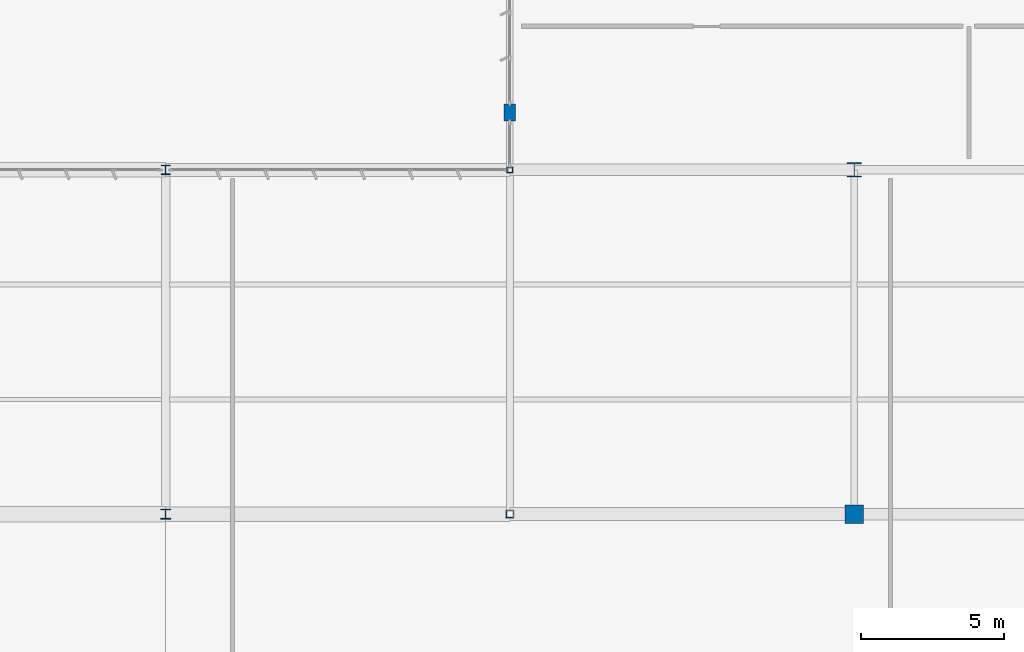
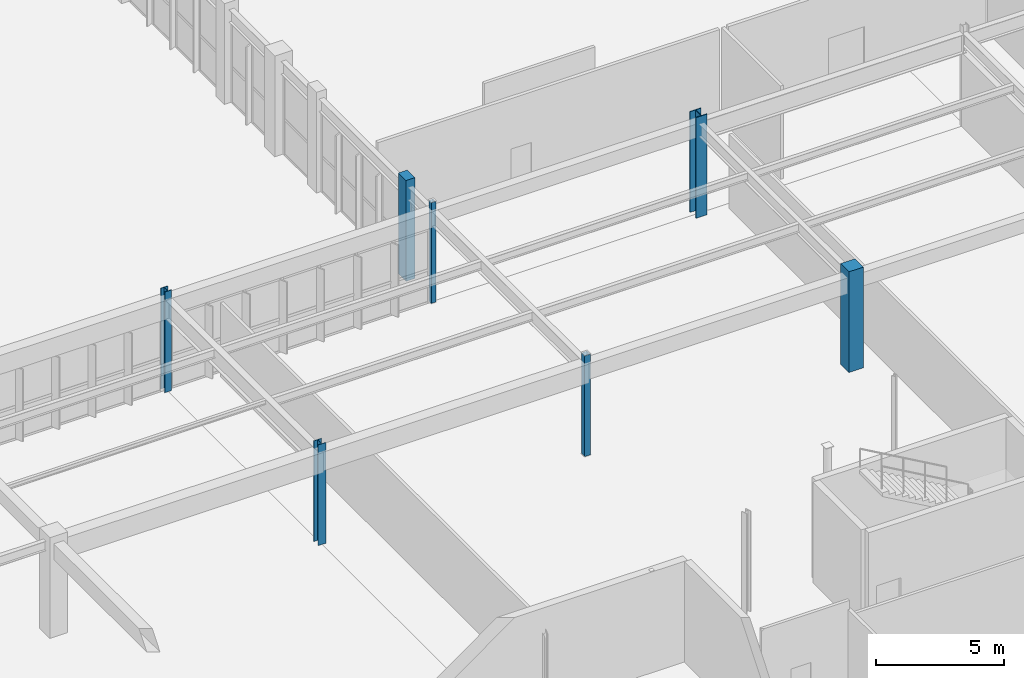
# One storey, part 18 of 199: 7 columns.
"""IFC4 building model written with IfcOpenShell, lengths in metres."""

import ifcopenshell
import ifcopenshell.guid

model = None  # the IFC model being written
_history = None  # IfcOwnerHistory: only IFC2X3 demands one
_inside = {}  # id of a spatial element -> (the spatial element, [elements in it])
_under = {}  # id of a project, library or spatial element -> (it, [spatial elements below it])
_declared = {}  # id of a project -> (the project, [libraries it declares])
_typed = {}  # id of a type object -> (the type object, [elements of that type])
_made_of = {}  # id of a material, layer set ... -> (it, [elements and type objects made of it])


def new_model(schema):
    """Start an empty IFC model of exactly this schema.

    Asked for "IFC4X3", IfcOpenShell would pick the latest addendum, in which some entities
    have other attributes; the version numbers below select the first issue.
    IFC2X3 requires an IfcOwnerHistory on every rooted entity: one is made here for all.
    """
    global model, _history
    if schema == "IFC4X3":
        model = ifcopenshell.file(schema_version=(4, 3, 0, 0))
    else:
        model = ifcopenshell.file(schema=schema)
    _inside.clear()
    _under.clear()
    _declared.clear()
    _typed.clear()
    _made_of.clear()
    _history = None
    if model.schema == "IFC2X3":
        org = make("IfcOrganization", Name="unknown")
        user = make(
            "IfcPersonAndOrganization",
            ThePerson=make("IfcPerson", FamilyName="unknown"),
            TheOrganization=org,
        )
        app = make(
            "IfcApplication",
            ApplicationDeveloper=org,
            Version="unknown",
            ApplicationFullName="unknown",
            ApplicationIdentifier="unknown",
        )
        _history = make(
            "IfcOwnerHistory",
            OwningUser=user,
            OwningApplication=app,
            ChangeAction="ADDED",
            CreationDate=0,
        )
    return model


def make(cls, **values):
    """One entity of the class cls with the attributes given. An attribute that is None is left unset."""
    return model.create_entity(
        cls, **{name: value for name, value in values.items() if value is not None}
    )


def rooted(cls, **values):
    """An entity with a GlobalId (a new one), such as an element, a storey or a relation."""
    return make(cls, GlobalId=ifcopenshell.guid.new(), OwnerHistory=_history, **values)


def si_unit(unit_type, name, prefix=None):
    """IfcSIUnit, for example si_unit("LENGTHUNIT", "METRE", prefix="MILLI")."""
    return make("IfcSIUnit", UnitType=unit_type, Prefix=prefix, Name=name)


def assignment(units):
    """IfcUnitAssignment: the units of a project."""
    return None if units is None else make("IfcUnitAssignment", Units=units)


def point(xyz):
    """IfcCartesianPoint."""
    return None if xyz is None else make("IfcCartesianPoint", Coordinates=xyz)


def direction(xyz):
    """IfcDirection."""
    return None if xyz is None else make("IfcDirection", DirectionRatios=xyz)


def frame(location, z_axis=None, x_axis=None):
    """IfcAxis2Placement3D, a coordinate frame: its origin and axes. An axis left out is left unset."""
    return make(
        "IfcAxis2Placement3D",
        Location=point(location),
        Axis=direction(z_axis),
        RefDirection=direction(x_axis),
    )


def frame_2d(location, x_axis=None):
    """IfcAxis2Placement2D, a coordinate frame in the plane: its origin and x axis."""
    return make(
        "IfcAxis2Placement2D", Location=point(location), RefDirection=direction(x_axis)
    )


def origin():
    """The frame at (0, 0, 0) with its axes left unset."""
    return frame((0.0, 0.0, 0.0))


def origin_2d():
    """The frame at (0, 0) in the plane with its x axis left unset."""
    return frame_2d((0.0, 0.0))


def place(relative_to, where):
    """IfcLocalPlacement: puts the frame where relative to a parent placement (None: the world)."""
    return make(
        "IfcLocalPlacement", PlacementRelTo=relative_to, RelativePlacement=where
    )


def context(
    kind, dimensions, precision=None, world=None, true_north=None, identifier=None
):
    """IfcGeometricRepresentationContext, for example the 3D "Model" context."""
    return make(
        "IfcGeometricRepresentationContext",
        ContextIdentifier=identifier,
        ContextType=kind,
        CoordinateSpaceDimension=dimensions,
        Precision=precision,
        WorldCoordinateSystem=world,
        TrueNorth=true_north,
    )


def subcontext(parent, identifier, kind, view, scale=None):
    """IfcGeometricRepresentationSubContext, for example "Body" below "Model"."""
    return make(
        "IfcGeometricRepresentationSubContext",
        ContextIdentifier=identifier,
        ContextType=kind,
        ParentContext=parent,
        TargetScale=scale,
        TargetView=view,
    )


def project(units=None, contexts=None):
    """IfcProject with its units and contexts."""
    return rooted(
        "IfcProject",
        Name="project",
        RepresentationContexts=contexts,
        UnitsInContext=assignment(units),
    )


def spatial(cls, under=None, at=None, **own):
    """A site, building, storey or space (cls), placed at a placement, below another one or the project."""
    s = rooted(cls, ObjectPlacement=at, **own)
    if under is not None:
        _under.setdefault(under.id(), (under, []))[1].append(s)
    return s


def profile(cls, at=None, kind="AREA", **sizes):
    """A parametric profile (cls). Its sizes go by their IFC names, for example OverallWidth=200.0."""
    return make(cls, ProfileType=kind, Position=at, **sizes)


def rectangle(**sizes):
    """IfcRectangleProfileDef."""
    return profile("IfcRectangleProfileDef", **sizes)


def hollow_rectangle(**sizes):
    """IfcRectangleHollowProfileDef."""
    return profile("IfcRectangleHollowProfileDef", **sizes)


def i_section(**sizes):
    """IfcIShapeProfileDef."""
    return profile("IfcIShapeProfileDef", **sizes)


def extrude(swept, where, along, depth):
    """IfcExtrudedAreaSolid: the profile swept, set in the frame where, extruded along a direction by depth."""
    return make(
        "IfcExtrudedAreaSolid",
        SweptArea=swept,
        Position=where,
        ExtrudedDirection=direction(along),
        Depth=depth,
    )


def shape(context_of_items, identifier, shape_type, items):
    """IfcShapeRepresentation: the items that make up one representation, for example the "Body"."""
    return make(
        "IfcShapeRepresentation",
        ContextOfItems=context_of_items,
        RepresentationIdentifier=identifier,
        RepresentationType=shape_type,
        Items=items,
    )


def material(Name=None, Category=None):
    """IfcMaterial."""
    return make("IfcMaterial", Name=Name, Category=Category)


def material_profile(
    of_material, cross_section, Name=None, Category=None, Priority=None
):
    """IfcMaterialProfile: a cross section and its material."""
    return make(
        "IfcMaterialProfile",
        Name=Name,
        Material=of_material,
        Profile=cross_section,
        Priority=Priority,
        Category=Category,
    )


def profile_set(profiles, Name=None, composite=None):
    """IfcMaterialProfileSet."""
    return make(
        "IfcMaterialProfileSet",
        Name=Name,
        MaterialProfiles=profiles,
        CompositeProfile=composite,
    )


def made_of(thing, what):
    """Note that an element or type object is made of a material, layer set ...; save() writes the relation."""
    if what is not None:
        _made_of.setdefault(what.id(), (what, []))[1].append(thing)
    return thing


def type_object(cls, material=None, **own):
    """A type object (cls), such as IfcWallType, which elements share."""
    return made_of(rooted(cls, **own), material)


def element(
    cls,
    number,
    at=None,
    inside=None,
    cuts=None,
    type_object=None,
    material=None,
    context=None,
    identifier="Body",
    shape_type=None,
    held_by="IfcProductDefinitionShape",
    body=None,
    shapes=None,
    **own,
):
    """One element of the class cls, such as IfcWall. Its Tag is "e" and its number.

    at: its placement. inside: the storey or other place that contains it. cuts: it is an
    opening in that element (IfcRelVoidsElement). A single representation is given by context,
    identifier, shape_type and body (its items); several are given by shapes. held_by: the class
    of the entity that holds the representations. save() writes the other relations.
    """
    e = rooted(cls, Tag="e%d" % number, ObjectPlacement=at, **own)
    if body is not None:
        shapes = [shape(context, identifier, shape_type, body)]
    if shapes is not None:
        e.Representation = make(held_by, Representations=shapes)
    if inside is not None:
        _inside.setdefault(inside.id(), (inside, []))[1].append(e)
    if cuts is not None:
        rooted(
            "IfcRelVoidsElement", RelatingBuildingElement=cuts, RelatedOpeningElement=e
        )
    if type_object is not None:
        _typed.setdefault(type_object.id(), (type_object, []))[1].append(e)
    return made_of(e, material)


def aggregate(whole, parts):
    """IfcRelAggregates: a whole, such as a stair, and the parts it consists of."""
    return rooted("IfcRelAggregates", RelatingObject=whole, RelatedObjects=parts)


def save(model, path):
    """Write the relations noted so far, then the file.

    IfcRelAggregates (storeys below a building ...), IfcRelContainedInSpatialStructure (elements
    in a storey), IfcRelDefinesByType, IfcRelAssociatesMaterial and IfcRelDeclares: one each for
    every whole, place, type object, material and project.
    """
    for whole, parts in _under.values():
        aggregate(whole, parts)
    for where, things in _inside.values():
        rooted(
            "IfcRelContainedInSpatialStructure",
            RelatedElements=things,
            RelatingStructure=where,
        )
    for kind, things in _typed.values():
        rooted("IfcRelDefinesByType", RelatedObjects=things, RelatingType=kind)
    for what, things in _made_of.values():
        rooted("IfcRelAssociatesMaterial", RelatedObjects=things, RelatingMaterial=what)
    for by, libraries in _declared.values():
        rooted("IfcRelDeclares", RelatingContext=by, RelatedDefinitions=libraries)
    model.write(path)


model = new_model("IFC4")

# Units and contexts
model_context = context("Model", 3, precision=1e-05, world=origin(), true_north=direction((0.0, 1.0)))
body_context = subcontext(model_context, "Body", "Model", "MODEL_VIEW")
ifc_project = project(units=[si_unit("LENGTHUNIT", "METRE"), si_unit("AREAUNIT", "SQUARE_METRE"), si_unit("VOLUMEUNIT", "CUBIC_METRE"), si_unit("PLANEANGLEUNIT", "RADIAN"), si_unit("MASSUNIT", "GRAM", prefix="KILO")], contexts=[model_context])

# Site, building, storey
site_placement = place(None, origin())
site = spatial("IfcSite", under=ifc_project, at=site_placement, CompositionType="ELEMENT")
building_placement = place(site_placement, origin())
building = spatial("IfcBuilding", under=site, at=building_placement, Name="Tarnwether General Hospital", CompositionType="ELEMENT")
storey_placement = place(building_placement, origin())
storey = spatial("IfcBuildingStorey", under=building, at=storey_placement, Name="L00", CompositionType="ELEMENT", Elevation=0.0)

# Columns
ifc_material_1 = material(Name="Steel Grade 350 (350 MPa)", Category="steel")
ifc_material_profile_1 = material_profile(ifc_material_1, i_section(OverallWidth=0.5, OverallDepth=0.5, WebThickness=0.02197265625, FlangeThickness=0.035888671875, at=origin_2d()), Name="500WC380")
ifc_profile_set_1 = profile_set([ifc_material_profile_1], Name="Steel Grade 350 (350 MPa)")
column_type_1 = type_object("IfcColumnType", Name="COL-01", PredefinedType="COLUMN", material=ifc_profile_set_1)
column_1_placement = place(storey_placement, frame((120.0, 45.60009765625, 0.0), z_axis=(0.0, 0.0, 1.0), x_axis=(1.0, 0.0, 0.0)))
element("IfcColumn", 1, at=column_1_placement, inside=storey, type_object=column_type_1, Name="Column COLG-L00-12000_4560", PredefinedType="COLUMN", context=body_context, shape_type="SweptSolid", body=[
    extrude(i_section(OverallWidth=0.5, OverallDepth=0.5, WebThickness=0.02197265625, FlangeThickness=0.035888671875, at=origin_2d()), origin(), (0.0, 0.0, 1.0), 4.800048828125),
])
ifc_material_2 = material(Name="Steel Grade 350 (350 MPa)", Category="steel")
ifc_material_profile_2 = material_profile(ifc_material_2, i_section(OverallWidth=0.35009765625, OverallDepth=0.35009765625, WebThickness=0.013916015625, FlangeThickness=0.02392578125, at=origin_2d()), Name="350WC197")
ifc_profile_set_2 = profile_set([ifc_material_profile_2], Name="Steel Grade 350 (350 MPa)")
column_type_2 = type_object("IfcColumnType", Name="COL-04", PredefinedType="COLUMN", material=ifc_profile_set_2)
column_2_placement = place(storey_placement, frame((96.0, 33.60009765625, 0.0), z_axis=(0.0, 0.0, 1.0), x_axis=(1.0, 0.0, 0.0)))
element("IfcColumn", 2, at=column_2_placement, inside=storey, type_object=column_type_2, Name="Column COLG-L00-9600_3360", PredefinedType="COLUMN", context=body_context, shape_type="SweptSolid", body=[
    extrude(i_section(OverallWidth=0.35009765625, OverallDepth=0.35009765625, WebThickness=0.013916015625, FlangeThickness=0.02392578125, at=origin_2d()), origin(), (0.0, 0.0, 1.0), 4.800048828125),
])
ifc_material_3 = material(Name="Steel Grade 350 (350 MPa)", Category="steel")
ifc_material_profile_3 = material_profile(ifc_material_3, i_section(OverallWidth=0.31103515625, OverallDepth=0.326904296875, WebThickness=0.015625, FlangeThickness=0.02490234375, at=origin_2d()), Name="310UC158")
ifc_profile_set_3 = profile_set([ifc_material_profile_3], Name="Steel Grade 350 (350 MPa)")
column_type_3 = type_object("IfcColumnType", Name="COL-05", PredefinedType="COLUMN", material=ifc_profile_set_3)
column_3_placement = place(storey_placement, frame((96.0, 45.60009765625, 0.0), z_axis=(0.0, 0.0, 1.0), x_axis=(1.0, 0.0, 0.0)))
element("IfcColumn", 3, at=column_3_placement, inside=storey, type_object=column_type_3, Name="Column COLG-L00-9600_4560", PredefinedType="COLUMN", context=body_context, shape_type="SweptSolid", body=[
    extrude(i_section(OverallWidth=0.31103515625, OverallDepth=0.326904296875, WebThickness=0.015625, FlangeThickness=0.02490234375, at=origin_2d()), origin(), (0.0, 0.0, 1.0), 4.800048828125),
])
ifc_material_4 = material(Name="Steel Grade C350L0 (350 MPa)", Category="steel")
ifc_material_profile_4 = material_profile(ifc_material_4, hollow_rectangle(XDim=0.25, YDim=0.25, WallThickness=0.012451171875, at=origin_2d()), Name="SHS250x250x12.5")
ifc_profile_set_4 = profile_set([ifc_material_profile_4], Name="Steel Grade C350L0 (350 MPa)")
column_type_4 = type_object("IfcColumnType", Name="COL-14", PredefinedType="COLUMN", material=ifc_profile_set_4)
column_4_placement = place(storey_placement, frame((108.0, 33.60009765625, 0.0), z_axis=(0.0, 0.0, 1.0), x_axis=(0.0, 1.0, 0.0)))
element("IfcColumn", 4, at=column_4_placement, inside=storey, type_object=column_type_4, Name="Column COLG-L00-10800_3360", PredefinedType="COLUMN", context=body_context, shape_type="SweptSolid", body=[
    extrude(hollow_rectangle(XDim=0.25, YDim=0.25, WallThickness=0.012451171875, at=origin_2d()), origin(), (0.0, 0.0, 1.0), 4.800048828125),
])
ifc_material_5 = material(Name="Steel Grade C350L0 (350 MPa)", Category="steel")
ifc_material_profile_5 = material_profile(ifc_material_5, hollow_rectangle(XDim=0.199951171875, YDim=0.199951171875, WallThickness=0.010009765625, at=origin_2d()), Name="SHS200x200x10")
ifc_profile_set_5 = profile_set([ifc_material_profile_5], Name="Steel Grade C350L0 (350 MPa)")
column_type_5 = type_object("IfcColumnType", Name="COL-15", PredefinedType="COLUMN", material=ifc_profile_set_5)
column_5_placement = place(storey_placement, frame((108.0, 45.60009765625, 0.0), z_axis=(0.0, 0.0, 1.0), x_axis=(0.0, 1.0, 0.0)))
element("IfcColumn", 5, at=column_5_placement, inside=storey, type_object=column_type_5, Name="Column COLG-L00-10800_4560", PredefinedType="COLUMN", context=body_context, shape_type="SweptSolid", body=[
    extrude(hollow_rectangle(XDim=0.199951171875, YDim=0.199951171875, WallThickness=0.010009765625, at=origin_2d()), origin(), (0.0, 0.0, 1.0), 4.800048828125),
])
ifc_material_6 = material(Name="Concrete 50 MPa", Category="concrete")
ifc_material_profile_6 = material_profile(ifc_material_6, rectangle(XDim=0.39990234375, YDim=0.60009765625, at=origin_2d()), Name="RC-PIL-400x600")
ifc_profile_set_6 = profile_set([ifc_material_profile_6], Name="Concrete 50 MPa")
column_type_6 = type_object("IfcColumnType", Name="COL-21", PredefinedType="PILASTER", material=ifc_profile_set_6)
column_6_placement = place(storey_placement, frame((108.0, 47.60009765625, 0.0), z_axis=(0.0, 0.0, 1.0), x_axis=(1.0, 0.0, 0.0)))
element("IfcColumn", 6, at=column_6_placement, inside=storey, type_object=column_type_6, Name="Column COLG-L00-10800_4760", PredefinedType="PILASTER", context=body_context, shape_type="SweptSolid", body=[
    extrude(rectangle(XDim=0.39990234375, YDim=0.60009765625, at=origin_2d()), origin(), (0.0, 0.0, 1.0), 4.800048828125),
])
ifc_material_7 = material(Name="Concrete 50 MPa", Category="concrete")
ifc_material_profile_7 = material_profile(ifc_material_7, rectangle(XDim=0.64990234375, YDim=0.64990234375, at=origin_2d()), Name="RC-COL-650x650")
ifc_profile_set_7 = profile_set([ifc_material_profile_7], Name="Concrete 50 MPa")
column_type_7 = type_object("IfcColumnType", Name="COL-35", PredefinedType="COLUMN", material=ifc_profile_set_7)
column_7_placement = place(storey_placement, frame((120.0, 33.60009765625, 0.0), z_axis=(0.0, 0.0, 1.0), x_axis=(1.0, 0.0, 0.0)))
element("IfcColumn", 7, at=column_7_placement, inside=storey, type_object=column_type_7, Name="Column COLG-L00-12000_3360", PredefinedType="COLUMN", context=body_context, shape_type="SweptSolid", body=[
    extrude(rectangle(XDim=0.64990234375, YDim=0.64990234375, at=origin_2d()), origin(), (0.0, 0.0, 1.0), 4.800048828125),
])

save(model, "model.ifc")
